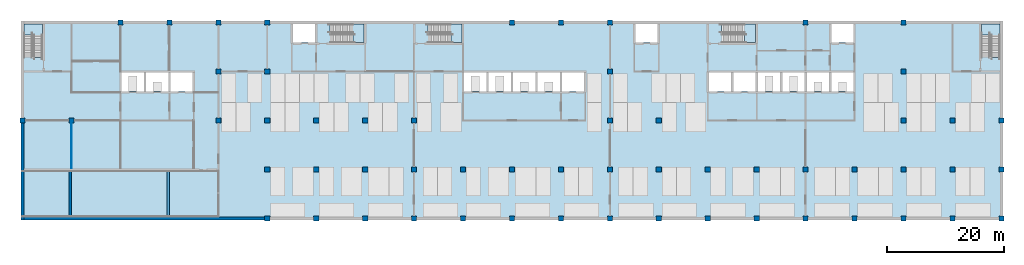
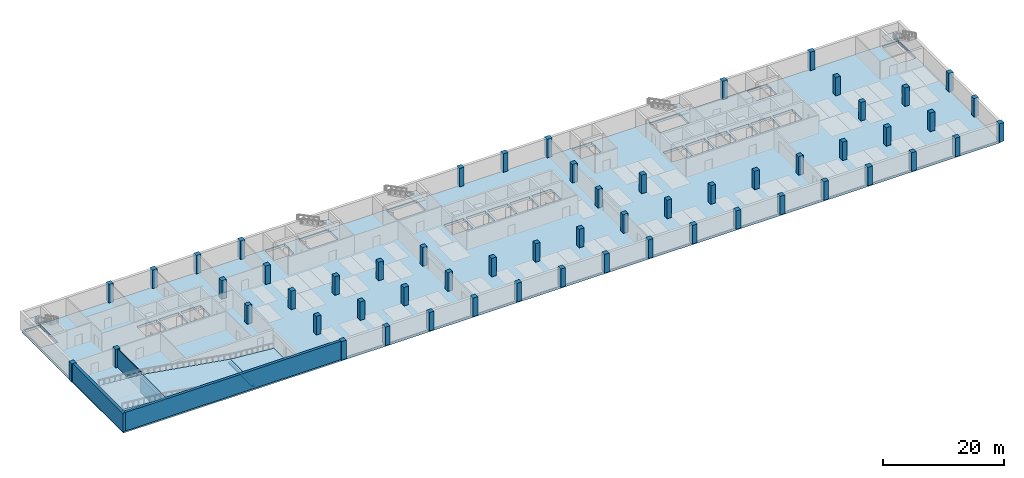
# One storey, part 1 of 14: 57 columns, 9 slabs, 5 walls, 6 elements without a shape of their own.
"""IFC4 building model written with IfcOpenShell, lengths in metres."""

from ifc_helpers import new_model, si_unit, direction, frame, frame_2d, origin, origin_2d, place, context, subcontext, project, spatial, polyline, rectangle, outline, extrude, material, layer, layer_set, material_profile, profile_set, type_object, element, aggregate, save


model = new_model("IFC4")

# Units and contexts
model_context = context("Model", 3, precision=1e-05, world=origin(), true_north=direction((0.0, 1.0)))
body_context = subcontext(model_context, "Body", "Model", "MODEL_VIEW")
ifc_project = project(units=[si_unit("LENGTHUNIT", "METRE"), si_unit("AREAUNIT", "SQUARE_METRE"), si_unit("VOLUMEUNIT", "CUBIC_METRE"), si_unit("PLANEANGLEUNIT", "RADIAN"), si_unit("MASSUNIT", "GRAM", prefix="KILO")], contexts=[model_context])

# Site, building, storey
site_placement = place(None, origin())
site = spatial("IfcSite", under=ifc_project, at=site_placement, CompositionType="ELEMENT")
building_placement = place(site_placement, origin())
building = spatial("IfcBuilding", under=site, at=building_placement, Name="Yavir Park General Hospital", CompositionType="ELEMENT")
storey_placement = place(building_placement, frame((0.0, 0.0, -4.199951171875)))
storey = spatial("IfcBuildingStorey", under=building, at=storey_placement, Name="B1", CompositionType="ELEMENT", Elevation=-4.199951171875)

# Columns
ifc_material_1 = material(Name="Concrete C40/50", Category="concrete")
ifc_material_profile = material_profile(ifc_material_1, rectangle(XDim=0.89990234375, YDim=0.89990234375, at=origin_2d()), Name="RC900x900")
ifc_profile_set = profile_set([ifc_material_profile], Name="Concrete C40/50")
column_type = type_object("IfcColumnType", Name="RC COLUMN 900x900", PredefinedType="COLUMN", material=ifc_profile_set)
for number, where, z_axis, x_axis, name in (
    (1, (42.0, 0.0, 0.0), (0.0, 0.0, 1.0), (1.0, 0.0, 0.0), "C:B1:6A"),
    (2, (50.39990234375, 0.0, 0.0), (0.0, 0.0, 1.0), (1.0, 0.0, 0.0), "C:B1:7A"),
    (3, (58.800048828125, 0.0, 0.0), (0.0, 0.0, 1.0), (1.0, 0.0, 0.0), "C:B1:8A"),
    (4, (67.199951171875, 0.0, 0.0), (0.0, 0.0, 1.0), (1.0, 0.0, 0.0), "C:B1:9A"),
    (5, (75.60009765625, 0.0, 0.0), (0.0, 0.0, 1.0), (1.0, 0.0, 0.0), "C:B1:10A"),
    (6, (84.0, 0.0, 0.0), (0.0, 0.0, 1.0), (1.0, 0.0, 0.0), "C:B1:11A"),
    (7, (92.39990234375, 0.0, 0.0), (0.0, 0.0, 1.0), (1.0, 0.0, 0.0), "C:B1:12A"),
    (8, (100.800048828125, 0.0, 0.0), (0.0, 0.0, 1.0), (1.0, 0.0, 0.0), "C:B1:13A"),
    (9, (109.199951171875, 0.0, 0.0), (0.0, 0.0, 1.0), (1.0, 0.0, 0.0), "C:B1:14A"),
    (10, (117.60009765625, 0.0, 0.0), (0.0, 0.0, 1.0), (1.0, 0.0, 0.0), "C:B1:15A"),
    (11, (126.0, 0.0, 0.0), (0.0, 0.0, 1.0), (1.0, 0.0, 0.0), "C:B1:16A"),
    (12, (134.39990234375, 0.0, 0.0), (0.0, 0.0, 1.0), (1.0, 0.0, 0.0), "C:B1:17A"),
    (13, (142.800048828125, 0.0, 0.0), (0.0, 0.0, 1.0), (1.0, 0.0, 0.0), "C:B1:18A"),
    (14, (151.199951171875, 0.0, 0.0), (0.0, 0.0, 1.0), (1.0, 0.0, 0.0), "C:B1:19A"),
    (15, (159.60009765625, 0.0, 0.0), (0.0, 0.0, 1.0), (1.0, 0.0, 0.0), "C:B1:20A"),
    (16, (168.0, 0.0, 0.0), (0.0, 0.0, 1.0), (1.0, 0.0, 0.0), "C:B1:21A"),
    (17, (42.0, 8.39990234375, 0.0), (0.0, 0.0, 1.0), (1.0, 0.0, 0.0), "C:B1:6B"),
    (18, (50.39990234375, 8.39990234375, 0.0), (0.0, 0.0, 1.0), (1.0, 0.0, 0.0), "C:B1:7B"),
    (19, (58.800048828125, 8.39990234375, 0.0), (0.0, 0.0, 1.0), (1.0, 0.0, 0.0), "C:B1:8B"),
    (20, (67.199951171875, 8.39990234375, 0.0), (0.0, 0.0, 1.0), (1.0, 0.0, 0.0), "C:B1:9B"),
    (21, (75.60009765625, 8.39990234375, 0.0), (0.0, 0.0, 1.0), (1.0, 0.0, 0.0), "C:B1:10B"),
    (22, (84.0, 8.39990234375, 0.0), (0.0, 0.0, 1.0), (1.0, 0.0, 0.0), "C:B1:11B"),
    (23, (92.39990234375, 8.39990234375, 0.0), (0.0, 0.0, 1.0), (1.0, 0.0, 0.0), "C:B1:12B"),
    (24, (100.800048828125, 8.39990234375, 0.0), (0.0, 0.0, 1.0), (1.0, 0.0, 0.0), "C:B1:13B"),
    (25, (109.199951171875, 8.39990234375, 0.0), (0.0, 0.0, 1.0), (1.0, 0.0, 0.0), "C:B1:14B"),
    (26, (117.60009765625, 8.39990234375, 0.0), (0.0, 0.0, 1.0), (1.0, 0.0, 0.0), "C:B1:15B"),
    (27, (126.0, 8.39990234375, 0.0), (0.0, 0.0, 1.0), (1.0, 0.0, 0.0), "C:B1:16B"),
    (28, (134.39990234375, 8.39990234375, 0.0), (0.0, 0.0, 1.0), (1.0, 0.0, 0.0), "C:B1:17B"),
    (29, (142.800048828125, 8.39990234375, 0.0), (0.0, 0.0, 1.0), (1.0, 0.0, 0.0), "C:B1:18B"),
    (30, (151.199951171875, 8.39990234375, 0.0), (0.0, 0.0, 1.0), (1.0, 0.0, 0.0), "C:B1:19B"),
    (31, (159.60009765625, 8.39990234375, 0.0), (0.0, 0.0, 1.0), (1.0, 0.0, 0.0), "C:B1:20B"),
    (32, (168.0, 8.39990234375, 0.0), (0.0, 0.0, 1.0), (1.0, 0.0, 0.0), "C:B1:21B"),
    (33, (0.0, 16.800048828125, 0.0), (0.0, 0.0, 1.0), (1.0, 0.0, 0.0), "C:B1:1C"),
    (34, (8.39990234375, 16.800048828125, 0.0), (0.0, 0.0, 1.0), (1.0, 0.0, 0.0), "C:B1:2C"),
    (35, (33.60009765625, 16.800048828125, 0.0), (0.0, 0.0, 1.0), (1.0, 0.0, 0.0), "C:B1:5C"),
    (36, (42.0, 16.800048828125, 0.0), (0.0, 0.0, 1.0), (1.0, 0.0, 0.0), "C:B1:6C"),
    (37, (50.39990234375, 16.800048828125, 0.0), (0.0, 0.0, 1.0), (1.0, 0.0, 0.0), "C:B1:7C"),
    (38, (58.800048828125, 16.800048828125, 0.0), (0.0, 0.0, 1.0), (1.0, 0.0, 0.0), "C:B1:8C"),
    (39, (67.199951171875, 16.800048828125, 0.0), (0.0, 0.0, 1.0), (1.0, 0.0, 0.0), "C:B1:9C"),
    (40, (100.800048828125, 16.800048828125, 0.0), (0.0, 0.0, 1.0), (1.0, 0.0, 0.0), "C:B1:13C"),
    (41, (109.199951171875, 16.800048828125, 0.0), (0.0, 0.0, 1.0), (1.0, 0.0, 0.0), "C:B1:14C"),
    (42, (151.199951171875, 16.800048828125, 0.0), (0.0, 0.0, 1.0), (1.0, 0.0, 0.0), "C:B1:19C"),
    (43, (159.60009765625, 16.800048828125, 0.0), (0.0, 0.0, 1.0), (1.0, 0.0, 0.0), "C:B1:20C"),
    (44, (168.0, 16.800048828125, 0.0), (0.0, 0.0, 1.0), (1.0, 0.0, 0.0), "C:B1:21C"),
    (45, (33.60009765625, 25.199951171875, 0.0), (0.0, 0.0, 1.0), (1.0, 0.0, 0.0), "C:B1:5D"),
    (46, (42.0, 25.199951171875, 0.0), (0.0, 0.0, 1.0), (1.0, 0.0, 0.0), "C:B1:6D"),
    (47, (100.800048828125, 25.199951171875, 0.0), (0.0, 0.0, 1.0), (1.0, 0.0, 0.0), "C:B1:13D"),
    (48, (151.199951171875, 25.199951171875, 0.0), (0.0, 0.0, 1.0), (1.0, 0.0, 0.0), "C:B1:19D"),
    (49, (16.800048828125, 33.60009765625, 0.0), (0.0, 0.0, 1.0), (1.0, 0.0, 0.0), "C:B1:3E"),
    (50, (25.199951171875, 33.60009765625, 0.0), (0.0, 0.0, 1.0), (1.0, 0.0, 0.0), "C:B1:4E"),
    (51, (33.60009765625, 33.60009765625, 0.0), (0.0, 0.0, 1.0), (1.0, 0.0, 0.0), "C:B1:5E"),
    (52, (42.0, 33.60009765625, 0.0), (0.0, 0.0, 1.0), (1.0, 0.0, 0.0), "C:B1:6E"),
    (53, (84.0, 33.60009765625, 0.0), (0.0, 0.0, 1.0), (1.0, 0.0, 0.0), "C:B1:11E"),
    (54, (92.39990234375, 33.60009765625, 0.0), (0.0, 0.0, 1.0), (1.0, 0.0, 0.0), "C:B1:12E"),
    (55, (100.800048828125, 33.60009765625, 0.0), (0.0, 0.0, 1.0), (1.0, 0.0, 0.0), "C:B1:13E"),
    (56, (134.39990234375, 33.60009765625, 0.0), (0.0, 0.0, 1.0), (1.0, 0.0, 0.0), "C:B1:17E"),
    (57, (151.199951171875, 33.60009765625, 0.0), (0.0, 0.0, 1.0), (1.0, 0.0, 0.0), "C:B1:19E"),
):
    element("IfcColumn", number, at=place(storey_placement, frame(where, z_axis=z_axis, x_axis=x_axis)), inside=storey, type_object=column_type, Name=name, PredefinedType="COLUMN", context=body_context, shape_type="SweptSolid", body=[
        extrude(rectangle(XDim=0.89990234375, YDim=0.89990234375, at=origin_2d()), origin(), (0.0, 0.0, 1.0), 3.75),
    ])

# Stair, slab
ifc_material_2 = material(Name="Concrete C30/37", Category="concrete")
stair_type = type_object("IfcStairType", Name="Patient escape stair, 28 risers of 150 mm, 1400 mm flights", PredefinedType="HALF_TURN_STAIR", material=ifc_material_2)
stair_1_placement = place(storey_placement, origin())
stair_1 = element("IfcStair", 58, at=stair_1_placement, inside=storey, type_object=stair_type, Name="Stair BS1, B1 to L00", PredefinedType="HALF_TURN_STAIR")
ifc_material_3 = material(Name="Concrete C30/37", Category="concrete")
ifc_layer_1 = layer(ifc_material_3, 0.159912109375)
ifc_layer_set_1 = layer_set([ifc_layer_1], Name="Concrete C30/37")
slab_type_1 = type_object("IfcSlabType", Name="Patient escape stair half landing, reinforced concrete 160 mm", PredefinedType="LANDING", material=ifc_layer_set_1)
slab_1_placement = place(storey_placement, frame((0.0, 0.0, 1.93994140625)))
slab_1 = element("IfcSlab", 59, at=slab_1_placement, type_object=slab_type_1, Name="BS1 landing 1", PredefinedType="LANDING", context=body_context, shape_type="SweptSolid", body=[
    extrude(outline(polyline([(0.25, 31.49853515625), (0.25, 33.35009765625), (3.39990234375, 33.35009765625), (3.39990234375, 31.35009765625), (1.949951171875, 31.35009765625), (1.949951171875, 31.49853515625), (0.25, 31.49853515625)])), origin(), (0.0, 0.0, 1.0), 0.159912109375),
])
aggregate(stair_1, [slab_1])

stair_2_placement = place(storey_placement, origin())
stair_2 = element("IfcStair", 60, at=stair_2_placement, inside=storey, type_object=stair_type, Name="Stair BS2, B1 to L00", PredefinedType="HALF_TURN_STAIR")
slab_2_placement = place(storey_placement, frame((0.0, 0.0, 1.93994140625)))
slab_2 = element("IfcSlab", 61, at=slab_2_placement, type_object=slab_type_1, Name="BS2 landing 1", PredefinedType="LANDING", context=body_context, shape_type="SweptSolid", body=[
    extrude(outline(polyline([(56.698486328125, 30.199951171875), (58.60009765625, 30.199951171875), (58.60009765625, 33.35009765625), (56.550048828125, 33.35009765625), (56.550048828125, 31.89990234375), (56.698486328125, 31.89990234375), (56.698486328125, 30.199951171875)])), origin(), (0.0, 0.0, 1.0), 0.159912109375),
])
aggregate(stair_2, [slab_2])

stair_3_placement = place(storey_placement, origin())
stair_3 = element("IfcStair", 62, at=stair_3_placement, inside=storey, type_object=stair_type, Name="Stair BS3, B1 to L00", PredefinedType="HALF_TURN_STAIR")
slab_3_placement = place(storey_placement, frame((0.0, 0.0, 1.93994140625)))
slab_3 = element("IfcSlab", 63, at=slab_3_placement, type_object=slab_type_1, Name="BS3 landing 1", PredefinedType="LANDING", context=body_context, shape_type="SweptSolid", body=[
    extrude(outline(polyline([(73.49853515625, 30.199951171875), (75.39990234375, 30.199951171875), (75.39990234375, 33.35009765625), (73.35009765625, 33.35009765625), (73.35009765625, 31.89990234375), (73.49853515625, 31.89990234375), (73.49853515625, 30.199951171875)])), origin(), (0.0, 0.0, 1.0), 0.159912109375),
])
aggregate(stair_3, [slab_3])

stair_4_placement = place(storey_placement, origin())
stair_4 = element("IfcStair", 64, at=stair_4_placement, inside=storey, type_object=stair_type, Name="Stair BS4, B1 to L00", PredefinedType="HALF_TURN_STAIR")
slab_4_placement = place(storey_placement, frame((0.0, 0.0, 1.93994140625)))
slab_4 = element("IfcSlab", 65, at=slab_4_placement, type_object=slab_type_1, Name="BS4 landing 1", PredefinedType="LANDING", context=body_context, shape_type="SweptSolid", body=[
    extrude(outline(polyline([(123.8984375, 30.199951171875), (125.800048828125, 30.199951171875), (125.800048828125, 33.35009765625), (123.75, 33.35009765625), (123.75, 31.89990234375), (123.8984375, 31.89990234375), (123.8984375, 30.199951171875)])), origin(), (0.0, 0.0, 1.0), 0.159912109375),
])
aggregate(stair_4, [slab_4])

stair_5_placement = place(storey_placement, origin())
stair_5 = element("IfcStair", 66, at=stair_5_placement, inside=storey, type_object=stair_type, Name="Stair BS5, B1 to L00", PredefinedType="HALF_TURN_STAIR")
slab_5_placement = place(storey_placement, frame((0.0, 0.0, 1.93994140625)))
slab_5 = element("IfcSlab", 67, at=slab_5_placement, type_object=slab_type_1, Name="BS5 landing 1", PredefinedType="LANDING", context=body_context, shape_type="SweptSolid", body=[
    extrude(outline(polyline([(164.60009765625, 31.49853515625), (164.60009765625, 33.35009765625), (167.75, 33.35009765625), (167.75, 31.35009765625), (166.300048828125, 31.35009765625), (166.300048828125, 31.49853515625), (164.60009765625, 31.49853515625)])), origin(), (0.0, 0.0, 1.0), 0.159912109375),
])
aggregate(stair_5, [slab_5])

# Slab
ifc_material_4 = material(Name="Concrete C35/45", Category="concrete")
ifc_layer_2 = layer(ifc_material_4, 0.5)
ifc_layer_set_2 = layer_set([ifc_layer_2], Name="Concrete C35/45")
slab_type_2 = type_object("IfcSlabType", Name="RC SLAB FLOOR 500", PredefinedType="FLOOR", material=ifc_layer_set_2)
slab_6_placement = place(storey_placement, frame((0.0, 0.0, -0.5)))
element("IfcSlab", 68, at=slab_6_placement, inside=storey, type_object=slab_type_2, Name="S:B1:0", PredefinedType="FLOOR", context=body_context, shape_type="SweptSolid", body=[
    extrude(outline(polyline([(168.0, 33.60009765625), (0.0, 33.60009765625), (0.0, 0.0), (168.0, 0.0), (168.0, 33.60009765625)]), holes=[polyline([(17.0, 21.800048828125), (17.0, 25.0), (20.800048828125, 25.0), (20.800048828125, 21.800048828125), (17.0, 21.800048828125)]), polyline([(21.199951171875, 21.800048828125), (21.199951171875, 25.0), (25.0, 25.0), (25.0, 21.800048828125), (21.199951171875, 21.800048828125)]), polyline([(25.39990234375, 21.800048828125), (25.39990234375, 25.0), (29.199951171875, 25.0), (29.199951171875, 21.800048828125), (25.39990234375, 21.800048828125)]), polyline([(75.800048828125, 25.0), (79.60009765625, 25.0), (79.60009765625, 21.800048828125), (75.800048828125, 21.800048828125), (75.800048828125, 25.0)]), polyline([(80.0, 25.0), (83.800048828125, 25.0), (83.800048828125, 21.800048828125), (80.0, 21.800048828125), (80.0, 25.0)]), polyline([(84.199951171875, 21.800048828125), (84.199951171875, 25.0), (88.0, 25.0), (88.0, 21.800048828125), (84.199951171875, 21.800048828125)]), polyline([(88.39990234375, 25.0), (92.199951171875, 25.0), (92.199951171875, 21.800048828125), (88.39990234375, 21.800048828125), (88.39990234375, 25.0)]), polyline([(46.39990234375, 30.199951171875), (46.39990234375, 33.39990234375), (50.199951171875, 33.39990234375), (50.199951171875, 30.199951171875), (46.39990234375, 30.199951171875)]), polyline([(92.60009765625, 21.800048828125), (92.60009765625, 25.0), (96.39990234375, 25.0), (96.39990234375, 21.800048828125), (92.60009765625, 21.800048828125)]), polyline([(117.800048828125, 21.800048828125), (117.800048828125, 25.0), (121.60009765625, 25.0), (121.60009765625, 21.800048828125), (117.800048828125, 21.800048828125)]), polyline([(122.0, 21.800048828125), (122.0, 25.0), (125.800048828125, 25.0), (125.800048828125, 21.800048828125), (122.0, 21.800048828125)]), polyline([(126.199951171875, 25.0), (130.0, 25.0), (130.0, 21.800048828125), (126.199951171875, 21.800048828125), (126.199951171875, 25.0)]), polyline([(130.39990234375, 25.0), (134.199951171875, 25.0), (134.199951171875, 21.800048828125), (130.39990234375, 21.800048828125), (130.39990234375, 25.0)]), polyline([(134.60009765625, 21.800048828125), (134.60009765625, 25.0), (138.39990234375, 25.0), (138.39990234375, 21.800048828125), (134.60009765625, 21.800048828125)]), polyline([(138.800048828125, 25.0), (142.60009765625, 25.0), (142.60009765625, 21.800048828125), (138.800048828125, 21.800048828125), (138.800048828125, 25.0)]), polyline([(105.199951171875, 30.199951171875), (105.199951171875, 33.39990234375), (109.0, 33.39990234375), (109.0, 30.199951171875), (105.199951171875, 30.199951171875)]), polyline([(138.800048828125, 33.39990234375), (142.60009765625, 33.39990234375), (142.60009765625, 30.199951171875), (138.800048828125, 30.199951171875), (138.800048828125, 33.39990234375)]), polyline([(3.39990234375, 27.6015625), (1.64990234375, 27.6015625), (1.64990234375, 27.75146484375), (0.25, 27.75146484375), (0.25, 33.35009765625), (3.39990234375, 33.35009765625), (3.39990234375, 27.6015625)]), polyline([(58.60009765625, 30.199951171875), (52.951416015625, 30.199951171875), (52.951416015625, 31.60009765625), (52.801513671875, 31.60009765625), (52.801513671875, 33.35009765625), (58.60009765625, 33.35009765625), (58.60009765625, 30.199951171875)]), polyline([(69.75146484375, 31.60009765625), (69.6015625, 31.60009765625), (69.6015625, 33.35009765625), (75.39990234375, 33.35009765625), (75.39990234375, 30.199951171875), (69.75146484375, 30.199951171875), (69.75146484375, 31.60009765625)]), polyline([(120.00146484375, 33.35009765625), (125.800048828125, 33.35009765625), (125.800048828125, 30.199951171875), (120.151611328125, 30.199951171875), (120.151611328125, 31.60009765625), (120.00146484375, 31.60009765625), (120.00146484375, 33.35009765625)]), polyline([(166.0, 27.75146484375), (164.60009765625, 27.75146484375), (164.60009765625, 33.35009765625), (167.75, 33.35009765625), (167.75, 27.6015625), (166.0, 27.6015625), (166.0, 27.75146484375)])]), origin(), (0.0, 0.0, 1.0), 0.5),
])

# Assembly, slabs
ifc_material_5 = material(Name="Concrete C35/45", Category="concrete")
ifc_layer_3 = layer(ifc_material_5, 0.39990234375)
ifc_layer_set_3 = layer_set([ifc_layer_3], Name="Concrete C35/45")
element_assembly_type = type_object("IfcElementAssemblyType", Name="Ramp, reinforced concrete 400 mm", PredefinedType="NOTDEFINED", material=ifc_layer_set_3)
assembly_placement = place(storey_placement, origin())
assembly = element("IfcElementAssembly", 69, at=assembly_placement, inside=storey, type_object=element_assembly_type, Name="Car park ramp", PredefinedType="NOTDEFINED")
ifc_material_6 = material(Name="Concrete C35/45", Category="concrete")
ifc_layer_4 = layer(ifc_material_6, 0.39990234375)
ifc_layer_set_4 = layer_set([ifc_layer_4], Name="Concrete C35/45")
slab_type_3 = type_object("IfcSlabType", Name="Ramp slab, reinforced concrete 400 mm", PredefinedType="FLOOR", material=ifc_layer_set_4)
slab_7_placement = place(storey_placement, frame((0.0, 0.199951171875, 4.199951171875), z_axis=(0.0, 0.0, 1.0), x_axis=(1.0, 0.0, 0.0)))
slab_7 = element("IfcSlab", 70, at=slab_7_placement, type_object=slab_type_3, Name="Car park ramp flight 1", PredefinedType="FLOOR", context=body_context, shape_type="SweptSolid", body=[
    extrude(outline(polyline([(0.0, 0.0), (8.39990234375, -0.699951171875), (8.39990234375, -1.101318359375), (0.0, -0.4013671875), (0.0, 0.0)])), frame((0.0, 8.0, 0.0), z_axis=(0.0, -1.0, 0.0), x_axis=(1.0, 0.0, 0.0)), (0.0, 0.0, 1.0), 8.0),
])
slab_8_placement = place(storey_placement, frame((8.39990234375, 0.199951171875, 3.5), z_axis=(0.0, 0.0, 1.0), x_axis=(1.0, 0.0, 0.0)))
slab_8 = element("IfcSlab", 71, at=slab_8_placement, type_object=slab_type_3, Name="Car park ramp flight 2", PredefinedType="FLOOR", context=body_context, shape_type="SweptSolid", body=[
    extrude(outline(polyline([(0.0, 0.0), (16.800048828125, -2.800048828125), (16.800048828125, -3.20556640625), (0.0, -0.405517578125), (0.0, 0.0)])), frame((0.0, 8.0, 0.0), z_axis=(0.0, -1.0, 0.0), x_axis=(1.0, 0.0, 0.0)), (0.0, 0.0, 1.0), 8.0),
])
slab_9_placement = place(storey_placement, frame((25.199951171875, 0.199951171875, 0.699951171875), z_axis=(0.0, 0.0, 1.0), x_axis=(1.0, 0.0, 0.0)))
slab_9 = element("IfcSlab", 72, at=slab_9_placement, type_object=slab_type_3, Name="Car park ramp flight 3", PredefinedType="FLOOR", context=body_context, shape_type="SweptSolid", body=[
    extrude(outline(polyline([(0.0, 0.0), (8.400146484375, -0.699951171875), (8.400146484375, -1.101318359375), (0.0, -0.4013671875), (0.0, 0.0)])), frame((0.0, 8.0, 0.0), z_axis=(0.0, -1.0, 0.0), x_axis=(1.0, 0.0, 0.0)), (0.0, 0.0, 1.0), 8.0),
])
aggregate(assembly, [slab_7, slab_8, slab_9])

# Walls
ifc_material_7 = material(Name="Gypsum board partition on steel studs", Category="steel")
ifc_layer_5 = layer(ifc_material_7, 0.14990234375)
ifc_layer_set_5 = layer_set([ifc_layer_5], Name="Gypsum board partition on steel studs")
wall_type_1 = type_object("IfcWallType", Name="Gypsum board partition 150", PredefinedType="PARTITIONING", material=ifc_layer_set_5)
wall_1_placement = place(storey_placement, frame((8.39990234375, 8.60009765625, 0.0), z_axis=(0.0, 0.0, 1.0), x_axis=(0.0, 1.0, 0.0)))
element("IfcWall", 73, at=wall_1_placement, inside=storey, type_object=wall_type_1, Name="P15 B1-032", PredefinedType="PARTITIONING", context=body_context, shape_type="SweptSolid", body=[
    extrude(rectangle(XDim=7.75, YDim=0.14990234375, at=frame_2d((3.875, 0.0))), origin(), (0.0, 0.0, 1.0), 3.75),
])
ifc_material_8 = material(Name="Concrete C35/45", Category="concrete")
ifc_layer_6 = layer(ifc_material_8, 0.5)
ifc_layer_set_6 = layer_set([ifc_layer_6], Name="Concrete C35/45")
wall_type_2 = type_object("IfcWallType", Name="RC WALL RETAINING 500", PredefinedType="SOLIDWALL", material=ifc_layer_set_6)
wall_2_placement = place(storey_placement, frame((0.25, 0.0, 0.0), z_axis=(0.0, 0.0, 1.0), x_axis=(1.0, 0.0, 0.0)))
element("IfcWall", 74, at=wall_2_placement, inside=storey, type_object=wall_type_2, Name="W:RET:B1:S0", PredefinedType="SOLIDWALL", context=body_context, shape_type="SweptSolid", body=[
    extrude(rectangle(XDim=41.300048828125, YDim=0.5, at=frame_2d((20.64990234375, 0.0))), origin(), (0.0, 0.0, 1.0), 3.75),
])
wall_3_placement = place(storey_placement, frame((0.0, -0.25, 0.0), z_axis=(0.0, 0.0, 1.0), x_axis=(0.0, 1.0, 0.0)))
element("IfcWall", 75, at=wall_3_placement, inside=storey, type_object=wall_type_2, Name="W:RET:B1:W26", PredefinedType="SOLIDWALL", context=body_context, shape_type="SweptSolid", body=[
    extrude(rectangle(XDim=16.60009765625, YDim=0.5, at=frame_2d((8.300048828125, 0.0))), origin(), (0.0, 0.0, 1.0), 3.75),
])
ifc_material_9 = material(Name="Concrete C35/45", Category="concrete")
ifc_layer_7 = layer(ifc_material_9, 0.39990234375)
ifc_layer_set_7 = layer_set([ifc_layer_7], Name="Concrete C35/45")
wall_type_3 = type_object("IfcWallType", Name="Ramp support wall, reinforced concrete 400 mm", PredefinedType="SOLIDWALL", material=ifc_layer_set_7)
wall_4_placement = place(storey_placement, frame((8.199951171875, 0.199951171875, 0.0), z_axis=(0.0, 0.0, 1.0), x_axis=(0.0, 1.0, 0.0)))
element("IfcWall", 76, at=wall_4_placement, inside=storey, type_object=wall_type_3, Name="Ramp support wall 1", PredefinedType="SOLIDWALL", context=body_context, shape_type="SweptSolid", body=[
    extrude(rectangle(XDim=8.0, YDim=0.39990234375, at=frame_2d((4.0, 0.0))), origin(), (0.0, 0.0, 1.0), 3.0986328125),
])
wall_5_placement = place(storey_placement, frame((25.0, 0.199951171875, 0.0), z_axis=(0.0, 0.0, 1.0), x_axis=(0.0, 1.0, 0.0)))
element("IfcWall", 77, at=wall_5_placement, inside=storey, type_object=wall_type_3, Name="Ramp support wall 2", PredefinedType="SOLIDWALL", context=body_context, shape_type="SweptSolid", body=[
    extrude(rectangle(XDim=8.0, YDim=0.39990234375, at=frame_2d((4.0, 0.0))), origin(), (0.0, 0.0, 1.0), 0.298583984375),
])

save(model, "model.ifc")
